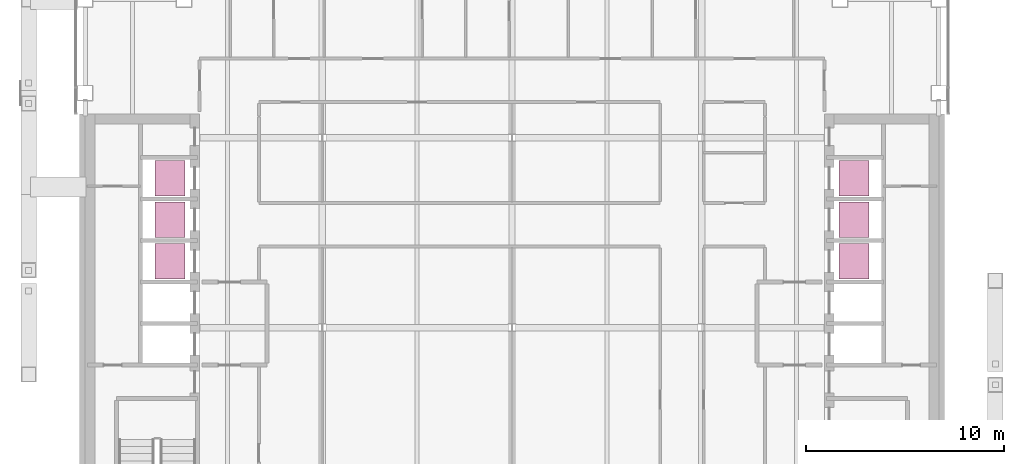
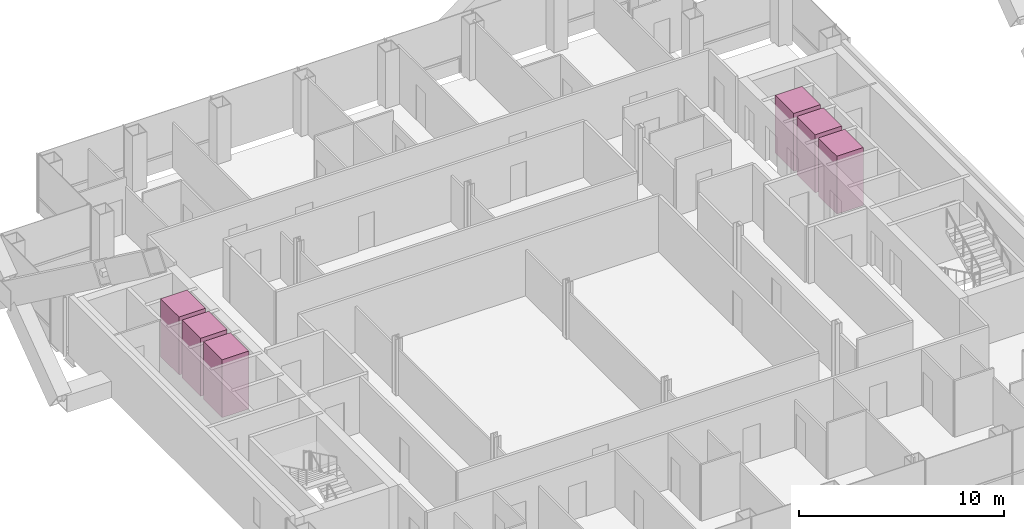
# One storey, part 16 of 16: 6 transport elements.
"""IFC4 building model written with IfcOpenShell, lengths in metres."""

from ifc_helpers import new_model, si_unit, direction, frame, origin, origin_2d, place, context, subcontext, project, spatial, rectangle, extrude, material, type_object, element, save


model = new_model("IFC4")

# Units and contexts
model_context = context("Model", 3, precision=1e-05, world=origin(), true_north=direction((0.0, 1.0)))
body_context = subcontext(model_context, "Body", "Model", "MODEL_VIEW")
ifc_project = project(units=[si_unit("LENGTHUNIT", "METRE"), si_unit("AREAUNIT", "SQUARE_METRE"), si_unit("VOLUMEUNIT", "CUBIC_METRE"), si_unit("PLANEANGLEUNIT", "RADIAN"), si_unit("MASSUNIT", "GRAM", prefix="KILO")], contexts=[model_context])

# Site, building, storey
site_placement = place(None, origin())
site = spatial("IfcSite", under=ifc_project, at=site_placement, CompositionType="ELEMENT")
building_placement = place(site_placement, origin())
building = spatial("IfcBuilding", under=site, at=building_placement, Name="Cobrizo Arcos Hotel Tower", CompositionType="ELEMENT")
storey_placement = place(building_placement, frame((0.0, 0.0, 172.5)))
storey = spatial("IfcBuildingStorey", under=building, at=storey_placement, Name="L44", CompositionType="ELEMENT", Elevation=172.5)

# Transport elements
ifc_material = material(Name="Stainless steel car", Category="steel")
transport_element_type = type_object("IfcTransportElementType", Name="Lift car High 1.8x1.5", PredefinedType="ELEVATOR", material=ifc_material)
for number, where, z_axis, x_axis, name in (
    (1, (-17.300048828125, 3.35009765625, 0.0), (0.0, 0.0, 1.0), (1.0, 0.0, 0.0), "High-rise passenger lift W1"),
    (2, (-17.300048828125, 5.449951171875, 0.0), (0.0, 0.0, 1.0), (1.0, 0.0, 0.0), "High-rise passenger lift W2"),
    (3, (-17.300048828125, 7.550048828125, 0.0), (0.0, 0.0, 1.0), (1.0, 0.0, 0.0), "High-rise passenger lift W3"),
    (4, (17.300048828125, 3.35009765625, 0.0), (0.0, 0.0, 1.0), (1.0, 0.0, 0.0), "High-rise passenger lift E1"),
    (5, (17.300048828125, 5.449951171875, 0.0), (0.0, 0.0, 1.0), (1.0, 0.0, 0.0), "High-rise passenger lift E2"),
    (6, (17.300048828125, 7.550048828125, 0.0), (0.0, 0.0, 1.0), (1.0, 0.0, 0.0), "High-rise passenger lift E3"),
):
    element("IfcTransportElement", number, at=place(storey_placement, frame(where, z_axis=z_axis, x_axis=x_axis)), inside=storey, type_object=transport_element_type, Name=name, PredefinedType="ELEVATOR", context=body_context, shape_type="SweptSolid", body=[
        extrude(rectangle(XDim=1.5, YDim=1.800048828125, at=origin_2d()), origin(), (0.0, 0.0, 1.0), 3.449951171875),
    ])

save(model, "model.ifc")
